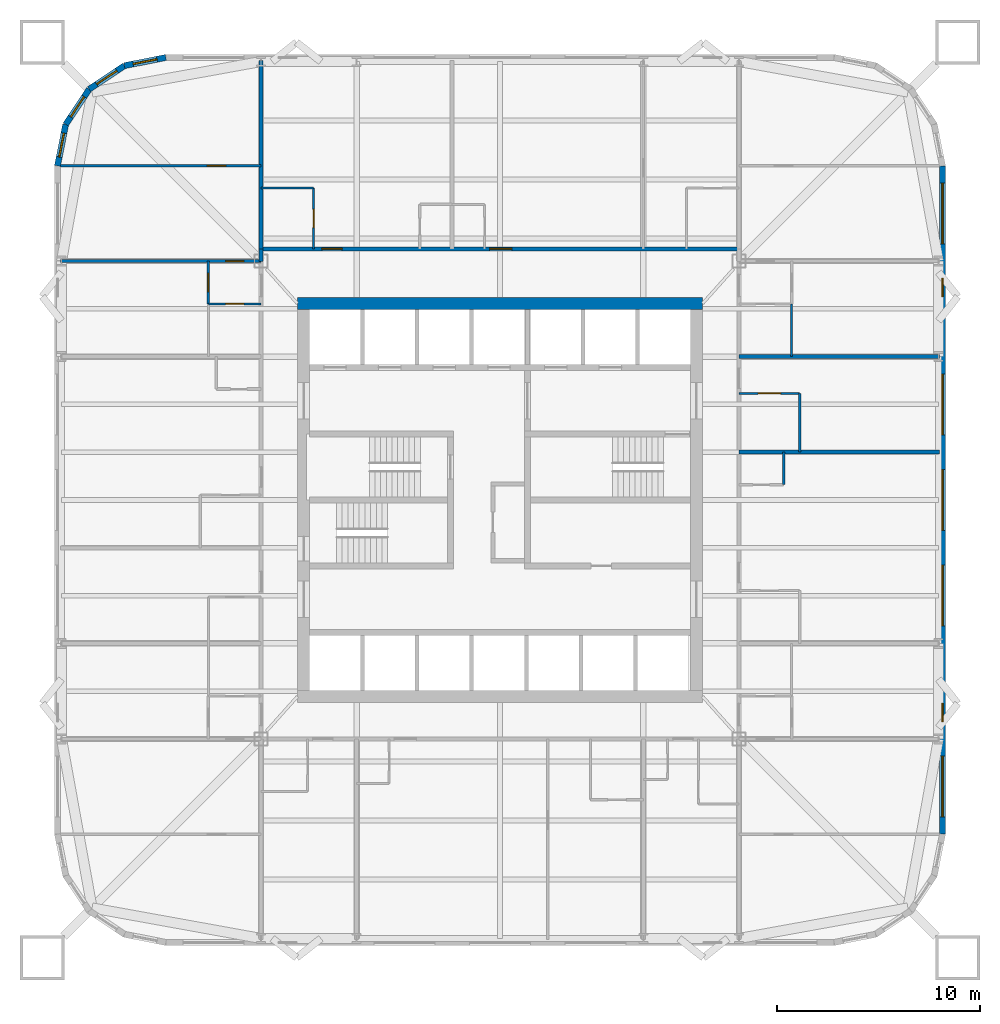
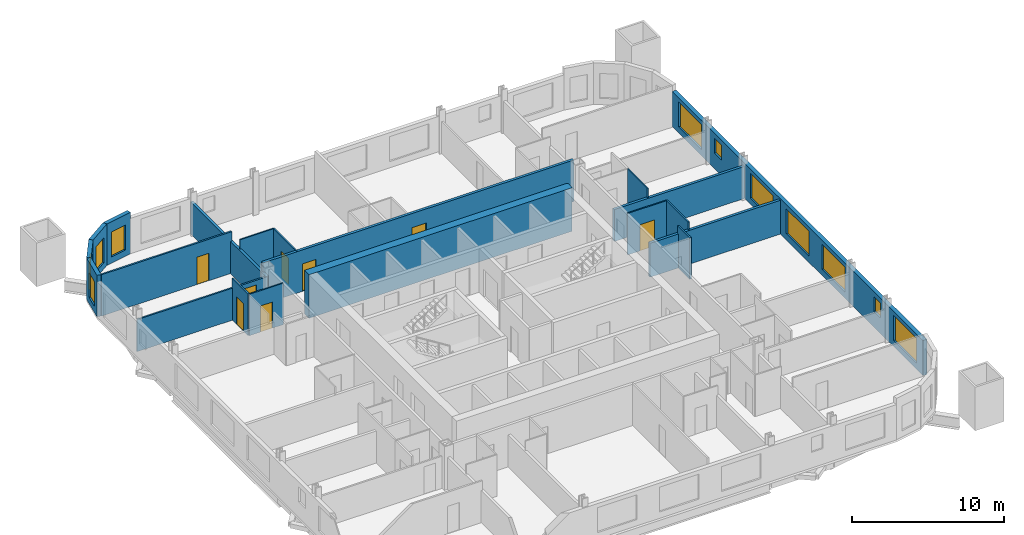
# One storey, part 6 of 9: 21 walls, 11 windows, 8 doors, 19 openings.
"""IFC4 building model written with IfcOpenShell, lengths in metres."""

from ifc_helpers import new_model, si_unit, direction, frame, frame_2d, origin, place, context, subcontext, project, spatial, rectangle, extrude, material, layer, layer_set, type_object, element, fill, save


model = new_model("IFC4")

# Units and contexts
model_context = context("Model", 3, precision=1e-05, world=origin(), true_north=direction((0.0, 1.0)))
body_context = subcontext(model_context, "Body", "Model", "MODEL_VIEW")
ifc_project = project(units=[si_unit("LENGTHUNIT", "METRE"), si_unit("AREAUNIT", "SQUARE_METRE"), si_unit("VOLUMEUNIT", "CUBIC_METRE"), si_unit("PLANEANGLEUNIT", "RADIAN"), si_unit("MASSUNIT", "GRAM", prefix="KILO")], contexts=[model_context])

# Site, building, storey
site_placement = place(None, origin())
site = spatial("IfcSite", under=ifc_project, at=site_placement, CompositionType="ELEMENT")
building_placement = place(site_placement, origin())
building = spatial("IfcBuilding", under=site, at=building_placement, Name="Turquesa Mirador Hotel Tower", CompositionType="ELEMENT")
storey_placement = place(building_placement, frame((0.0, 0.0, 42.5)))
storey = spatial("IfcBuildingStorey", under=building, at=storey_placement, Name="L10", CompositionType="ELEMENT", Elevation=42.5)

# Wall
ifc_material_1 = material(Name="Gypsum board on steel studs", Category="steel")
ifc_layer_1 = layer(ifc_material_1, 0.10009765625)
ifc_layer_set_1 = layer_set([ifc_layer_1], Name="BATHROOM WALL 100")
wall_type_1 = type_object("IfcWallType", Name="BATHROOM WALL 100", PredefinedType="PARTITIONING", material=ifc_layer_set_1)
wall_1_placement = place(storey_placement, frame((43.199951171875, 60.39990234375, 0.0), z_axis=(0.0, 0.0, 1.0), x_axis=(1.0, 0.0, 0.0)))
element("IfcWall", 1, at=wall_1_placement, inside=storey, type_object=wall_type_1, Name="Partition L10 025", PredefinedType="PARTITIONING", context=body_context, shape_type="SweptSolid", body=[
    extrude(rectangle(XDim=2.60009765625, YDim=0.10009765625, at=frame_2d((1.300048828125, 0.0))), origin(), (0.0, 0.0, 1.0), 3.330078125),
])

# Wall, opening, door
wall_2_placement = place(storey_placement, frame((66.800048828125, 50.260009765625, 0.0), z_axis=(0.0, 0.0, 1.0), x_axis=(1.0, 0.0, 0.0)))
wall_2 = element("IfcWall", 2, at=wall_2_placement, inside=storey, type_object=wall_type_1, Name="Partition L10 030", PredefinedType="PARTITIONING", context=body_context, shape_type="SweptSolid", body=[
    extrude(rectangle(XDim=3.0, YDim=0.10009765625, at=frame_2d((1.5, 0.0))), origin(), (0.0, 0.0, 1.0), 3.330078125),
])
opening_1_placement = place(wall_2_placement, frame((0.949951171875, 0.0, 0.0)))
opening_1 = element("IfcOpeningElement", 3, at=opening_1_placement, cuts=wall_2, Name="Opening D16", PredefinedType="OPENING", context=body_context, shape_type="SweptSolid", body=[
    extrude(rectangle(XDim=1.10009765625, YDim=2.10009765625, at=frame_2d((0.550048828125, 1.050048828125))), frame((0.0, 0.06005859375, 0.0), z_axis=(0.0, -1.0, 0.0), x_axis=(1.0, 0.0, 0.0)), (0.0, 0.0, 1.0), 0.1201171875),
])
ifc_material_2 = material(Name="Timber veneered sliding door", Category="wood")
door_type_1 = type_object("IfcDoorType", Name="DOOR 1100X2100 ACCESSIBLE EN-SUITE", OperationType="SLIDING_TO_LEFT", PredefinedType="DOOR", material=ifc_material_2)
door_1_placement = place(opening_1_placement, origin())
door_1 = element("IfcDoor", 4, at=door_1_placement, inside=storey, type_object=door_type_1, Name="Door 1007B", OperationType="SLIDING_TO_LEFT", OverallHeight=2.10009765625, OverallWidth=1.10009765625, PredefinedType="DOOR", context=body_context, shape_type="SweptSolid", body=[
    extrude(rectangle(XDim=1.10009765625, YDim=2.10009765625, at=frame_2d((0.550048828125, 1.050048828125))), frame((0.0, 0.02490234375, 0.0), z_axis=(0.0, -1.0, 0.0), x_axis=(1.0, 0.0, 0.0)), (0.0, 0.0, 1.0), 0.050048828125),
])
fill(opening_1, door_1)

wall_3_placement = place(storey_placement, frame((40.60009765625, 54.679931640625, 0.0), z_axis=(0.0, 0.0, 1.0), x_axis=(1.0, 0.0, 0.0)))
wall_3 = element("IfcWall", 5, at=wall_3_placement, inside=storey, type_object=wall_type_1, Name="Partition L10 034", PredefinedType="PARTITIONING", context=body_context, shape_type="SweptSolid", body=[
    extrude(rectangle(XDim=2.599853515625, YDim=0.10009765625, at=frame_2d((1.2998046875, 0.0))), origin(), (0.0, 0.0, 1.0), 3.330078125),
])
opening_2_placement = place(wall_3_placement, frame((0.85009765625, 0.0, 0.0)))
opening_2 = element("IfcOpeningElement", 6, at=opening_2_placement, cuts=wall_3, Name="Opening D02", PredefinedType="OPENING", context=body_context, shape_type="SweptSolid", body=[
    extrude(rectangle(XDim=0.89990234375, YDim=2.10009765625, at=frame_2d((0.449951171875, 1.050048828125))), frame((0.0, 0.06005859375, 0.0), z_axis=(0.0, -1.0, 0.0), x_axis=(1.0, 0.0, 0.0)), (0.0, 0.0, 1.0), 0.1201171875),
])
ifc_material_3 = material(Name="Timber veneered door", Category="wood")
door_type_2 = type_object("IfcDoorType", Name="DOOR 900X2100 EN-SUITE", OperationType="SINGLE_SWING_RIGHT", PredefinedType="DOOR", material=ifc_material_3)
door_2_placement = place(opening_2_placement, origin())
door_2 = element("IfcDoor", 7, at=door_2_placement, inside=storey, type_object=door_type_2, Name="Door 1011B", OperationType="SINGLE_SWING_RIGHT", OverallHeight=2.10009765625, OverallWidth=0.89990234375, PredefinedType="DOOR", context=body_context, shape_type="SweptSolid", body=[
    extrude(rectangle(XDim=0.89990234375, YDim=2.10009765625, at=frame_2d((0.449951171875, 1.050048828125))), frame((0.0, 0.02490234375, 0.0), z_axis=(0.0, -1.0, 0.0), x_axis=(1.0, 0.0, 0.0)), (0.0, 0.0, 1.0), 0.050048828125),
])
fill(opening_2, door_2)

wall_4_placement = place(storey_placement, frame((45.800048828125, 57.39990234375, 0.0), z_axis=(0.0, 0.0, 1.0), x_axis=(0.0, 1.0, 0.0)))
wall_4 = element("IfcWall", 8, at=wall_4_placement, inside=storey, type_object=wall_type_1, Name="Partition L10 050", PredefinedType="PARTITIONING", context=body_context, shape_type="SweptSolid", body=[
    extrude(rectangle(XDim=3.0, YDim=0.10009765625, at=frame_2d((1.5, 0.0))), origin(), (0.0, 0.0, 1.0), 3.330078125),
])
opening_3_placement = place(wall_4_placement, frame((1.050048828125, 0.0, 0.0)))
opening_3 = element("IfcOpeningElement", 9, at=opening_3_placement, cuts=wall_4, Name="Opening D02", PredefinedType="OPENING", context=body_context, shape_type="SweptSolid", body=[
    extrude(rectangle(XDim=0.89990234375, YDim=2.10009765625, at=frame_2d((0.449951171875, 1.050048828125))), frame((0.0, 0.06005859375, 0.0), z_axis=(0.0, -1.0, 0.0), x_axis=(1.0, 0.0, 0.0)), (0.0, 0.0, 1.0), 0.1201171875),
])
door_3_placement = place(opening_3_placement, origin())
door_3 = element("IfcDoor", 10, at=door_3_placement, inside=storey, type_object=door_type_2, Name="Door 1001B", OperationType="SINGLE_SWING_RIGHT", OverallHeight=2.10009765625, OverallWidth=0.89990234375, PredefinedType="DOOR", context=body_context, shape_type="SweptSolid", body=[
    extrude(rectangle(XDim=0.89990234375, YDim=2.10009765625, at=frame_2d((0.449951171875, 1.050048828125))), frame((0.0, 0.02490234375, 0.0), z_axis=(0.0, -1.0, 0.0), x_axis=(1.0, 0.0, 0.0)), (0.0, 0.0, 1.0), 0.050048828125),
])
fill(opening_3, door_3)

# Walls
wall_5_placement = place(storey_placement, frame((69.39990234375, 52.080078125, 0.0), z_axis=(0.0, 0.0, 1.0), x_axis=(0.0, 1.0, 0.0)))
element("IfcWall", 11, at=wall_5_placement, inside=storey, type_object=wall_type_1, Name="Partition L10 057", PredefinedType="PARTITIONING", context=body_context, shape_type="SweptSolid", body=[
    extrude(rectangle(XDim=2.599853515625, YDim=0.10009765625, at=frame_2d((1.2998046875, 0.0))), origin(), (0.0, 0.0, 1.0), 3.330078125),
])
wall_6_placement = place(storey_placement, frame((69.800048828125, 47.360107421875, 0.0), z_axis=(0.0, 0.0, 1.0), x_axis=(0.0, 1.0, 0.0)))
element("IfcWall", 12, at=wall_6_placement, inside=storey, type_object=wall_type_1, Name="Partition L10 061", PredefinedType="PARTITIONING", context=body_context, shape_type="SweptSolid", body=[
    extrude(rectangle(XDim=2.89990234375, YDim=0.10009765625, at=frame_2d((1.449951171875, 0.0))), origin(), (0.0, 0.0, 1.0), 3.330078125),
])
ifc_material_4 = material(Name="Concrete C50/60", Category="concrete")
ifc_layer_2 = layer(ifc_material_4, 0.60009765625)
ifc_layer_set_2 = layer_set([ifc_layer_2], Name="CORE WALL 600")
wall_type_2 = type_object("IfcWallType", Name="CORE WALL 600", PredefinedType="SHEAR", material=ifc_layer_set_2)
wall_7_placement = place(storey_placement, frame((45.0, 54.699951171875, 0.0), z_axis=(0.0, 0.0, 1.0), x_axis=(1.0, 0.0, 0.0)))
element("IfcWall", 13, at=wall_7_placement, inside=storey, type_object=wall_type_2, Name="Core wall N", PredefinedType="SHEAR", context=body_context, shape_type="SweptSolid", body=[
    extrude(rectangle(XDim=20.0, YDim=0.60009765625, at=frame_2d((10.0, 0.0))), origin(), (0.0, 0.0, 1.0), 3.5),
])

# Wall, openings, doors
ifc_material_5 = material(Name="Fire-rated gypsum board on steel studs", Category="steel")
ifc_layer_3 = layer(ifc_material_5, 0.199951171875)
ifc_layer_set_3 = layer_set([ifc_layer_3], Name="CORRIDOR WALL 200")
wall_type_3 = type_object("IfcWallType", Name="CORRIDOR WALL 200", PredefinedType="PARTITIONING", material=ifc_layer_set_3)
wall_8_placement = place(storey_placement, frame((43.199951171875, 57.39990234375, 0.0), z_axis=(0.0, 0.0, 1.0), x_axis=(1.0, 0.0, 0.0)))
wall_8 = element("IfcWall", 14, at=wall_8_placement, inside=storey, type_object=wall_type_3, Name="Partition L10 022", PredefinedType="PARTITIONING", context=body_context, shape_type="SweptSolid", body=[
    extrude(rectangle(XDim=23.60009765625, YDim=0.199951171875, at=frame_2d((11.800048828125, 0.0))), origin(), (0.0, 0.0, 1.0), 3.330078125),
])
opening_4_placement = place(wall_8_placement, frame((3.0, 0.0, 0.0)))
opening_4 = element("IfcOpeningElement", 15, at=opening_4_placement, cuts=wall_8, Name="Opening D01", PredefinedType="OPENING", context=body_context, shape_type="SweptSolid", body=[
    extrude(rectangle(XDim=1.0, YDim=2.199951171875, at=frame_2d((0.5, 1.10009765625))), frame((0.0, 0.10986328125, 0.0), z_axis=(0.0, -1.0, 0.0), x_axis=(1.0, 0.0, 0.0)), (0.0, 0.0, 1.0), 0.219970703125),
])
opening_5_placement = place(wall_8_placement, frame((11.2900390625, 0.0, 0.0)))
opening_5 = element("IfcOpeningElement", 16, at=opening_5_placement, cuts=wall_8, Name="Opening D15", PredefinedType="OPENING", context=body_context, shape_type="SweptSolid", body=[
    extrude(rectangle(XDim=1.10009765625, YDim=2.199951171875, at=frame_2d((0.550048828125, 1.10009765625))), frame((0.0, 0.10986328125, 0.0), z_axis=(0.0, -1.0, 0.0), x_axis=(1.0, 0.0, 0.0)), (0.0, 0.0, 1.0), 0.219970703125),
])
ifc_material_6 = material(Name="Timber veneered fire door", Category="wood")
door_type_3 = type_object("IfcDoorType", Name="DOOR 1000X2200 GUEST ENTRY", OperationType="SINGLE_SWING_LEFT", PredefinedType="DOOR", material=ifc_material_6)
door_4_placement = place(opening_4_placement, origin())
door_4 = element("IfcDoor", 17, at=door_4_placement, inside=storey, type_object=door_type_3, Name="Door 1001", OperationType="SINGLE_SWING_LEFT", OverallHeight=2.199951171875, OverallWidth=1.0, PredefinedType="DOOR", context=body_context, shape_type="SweptSolid", body=[
    extrude(rectangle(XDim=1.0, YDim=2.199951171875, at=frame_2d((0.5, 1.10009765625))), frame((0.0, 0.02490234375, 0.0), z_axis=(0.0, -1.0, 0.0), x_axis=(1.0, 0.0, 0.0)), (0.0, 0.0, 1.0), 0.050048828125),
])
fill(opening_4, door_4)
ifc_material_7 = material(Name="Timber veneered fire door", Category="wood")
door_type_4 = type_object("IfcDoorType", Name="DOOR 1100X2200 SUITE ENTRY", OperationType="SINGLE_SWING_LEFT", PredefinedType="DOOR", material=ifc_material_7)
door_5_placement = place(opening_5_placement, origin())
door_5 = element("IfcDoor", 18, at=door_5_placement, inside=storey, type_object=door_type_4, Name="Door 1002", OperationType="SINGLE_SWING_LEFT", OverallHeight=2.199951171875, OverallWidth=1.10009765625, PredefinedType="DOOR", context=body_context, shape_type="SweptSolid", body=[
    extrude(rectangle(XDim=1.10009765625, YDim=2.199951171875, at=frame_2d((0.550048828125, 1.10009765625))), frame((0.0, 0.02490234375, 0.0), z_axis=(0.0, -1.0, 0.0), x_axis=(1.0, 0.0, 0.0)), (0.0, 0.0, 1.0), 0.050048828125),
])
fill(opening_5, door_5)

# Wall
wall_9_placement = place(storey_placement, frame((43.199951171875, 56.780029296875, 0.0), z_axis=(0.0, 0.0, 1.0), x_axis=(0.0, 1.0, 0.0)))
element("IfcWall", 19, at=wall_9_placement, inside=storey, type_object=wall_type_3, Name="Partition L10 069", PredefinedType="PARTITIONING", context=body_context, shape_type="SweptSolid", body=[
    extrude(rectangle(XDim=0.619873046875, YDim=0.199951171875, at=frame_2d((0.31005859375, 0.0))), origin(), (0.0, 0.0, 1.0), 2.572998046875),
])

# Wall, openings, windows
ifc_material_8 = material(Name="Limestone cladding on concrete block", Category="masonry")
ifc_layer_4 = layer(ifc_material_8, 0.300048828125)
ifc_layer_set_4 = layer_set([ifc_layer_4], Name="FACADE WALL 300 STONE SCREEN")
wall_type_4 = type_object("IfcWallType", Name="FACADE WALL 300 STONE SCREEN", PredefinedType="SOLIDWALL", material=ifc_layer_set_4)
wall_10_placement = place(storey_placement, frame((76.85009765625, 28.5, 0.0), z_axis=(0.0, 0.0, 1.0), x_axis=(0.0, 1.0, 0.0)))
wall_10 = element("IfcWall", 20, at=wall_10_placement, inside=storey, type_object=wall_type_4, Name="Facade wall L10 04", PredefinedType="SOLIDWALL", context=body_context, shape_type="SweptSolid", body=[
    extrude(rectangle(XDim=33.0, YDim=0.300048828125, at=frame_2d((16.5, 0.0))), origin(), (0.0, 0.0, 1.0), 2.830078125),
])
opening_6_placement = place(wall_10_placement, frame((0.85009765625, 0.0, 0.5)))
opening_6 = element("IfcOpeningElement", 21, at=opening_6_placement, cuts=wall_10, Name="Opening WN1", PredefinedType="OPENING", context=body_context, shape_type="SweptSolid", body=[
    extrude(rectangle(XDim=3.0, YDim=2.0, at=frame_2d((1.5, 1.0))), frame((0.0, 0.159912109375, 0.0), z_axis=(0.0, -1.0, 0.0), x_axis=(1.0, 0.0, 0.0)), (0.0, 0.0, 1.0), 0.320068359375),
])
opening_7_placement = place(wall_10_placement, frame((5.56005859375, 0.0, 1.25)))
opening_7 = element("IfcOpeningElement", 22, at=opening_7_placement, cuts=wall_10, Name="Opening WN36", PredefinedType="OPENING", context=body_context, shape_type="SweptSolid", body=[
    extrude(rectangle(XDim=0.89990234375, YDim=1.199951171875, at=frame_2d((0.449951171875, 0.60009765625))), frame((0.0, 0.159912109375, 0.0), z_axis=(0.0, -1.0, 0.0), x_axis=(1.0, 0.0, 0.0)), (0.0, 0.0, 1.0), 0.320068359375),
])
opening_8_placement = place(wall_10_placement, frame((10.280029296875, 0.0, 0.5)))
opening_8 = element("IfcOpeningElement", 23, at=opening_8_placement, cuts=wall_10, Name="Opening WN1", PredefinedType="OPENING", context=body_context, shape_type="SweptSolid", body=[
    extrude(rectangle(XDim=3.0, YDim=2.0, at=frame_2d((1.5, 1.0))), frame((0.0, 0.159912109375, 0.0), z_axis=(0.0, -1.0, 0.0), x_axis=(1.0, 0.0, 0.0)), (0.0, 0.0, 1.0), 0.320068359375),
])
opening_9_placement = place(wall_10_placement, frame((15.0, 0.0, 0.5)))
opening_9 = element("IfcOpeningElement", 24, at=opening_9_placement, cuts=wall_10, Name="Opening WN1", PredefinedType="OPENING", context=body_context, shape_type="SweptSolid", body=[
    extrude(rectangle(XDim=3.0, YDim=2.0, at=frame_2d((1.5, 1.0))), frame((0.0, 0.159912109375, 0.0), z_axis=(0.0, -1.0, 0.0), x_axis=(1.0, 0.0, 0.0)), (0.0, 0.0, 1.0), 0.320068359375),
])
opening_10_placement = place(wall_10_placement, frame((19.719970703125, 0.0, 0.5)))
opening_10 = element("IfcOpeningElement", 25, at=opening_10_placement, cuts=wall_10, Name="Opening WN1", PredefinedType="OPENING", context=body_context, shape_type="SweptSolid", body=[
    extrude(rectangle(XDim=3.0, YDim=2.0, at=frame_2d((1.5, 1.0))), frame((0.0, 0.159912109375, 0.0), z_axis=(0.0, -1.0, 0.0), x_axis=(1.0, 0.0, 0.0)), (0.0, 0.0, 1.0), 0.320068359375),
])
opening_11_placement = place(wall_10_placement, frame((26.5400390625, 0.0, 1.25)))
opening_11 = element("IfcOpeningElement", 26, at=opening_11_placement, cuts=wall_10, Name="Opening WN36", PredefinedType="OPENING", context=body_context, shape_type="SweptSolid", body=[
    extrude(rectangle(XDim=0.89990234375, YDim=1.199951171875, at=frame_2d((0.449951171875, 0.60009765625))), frame((0.0, 0.159912109375, 0.0), z_axis=(0.0, -1.0, 0.0), x_axis=(1.0, 0.0, 0.0)), (0.0, 0.0, 1.0), 0.320068359375),
])
opening_12_placement = place(wall_10_placement, frame((29.14990234375, 0.0, 0.5)))
opening_12 = element("IfcOpeningElement", 27, at=opening_12_placement, cuts=wall_10, Name="Opening WN1", PredefinedType="OPENING", context=body_context, shape_type="SweptSolid", body=[
    extrude(rectangle(XDim=3.0, YDim=2.0, at=frame_2d((1.5, 1.0))), frame((0.0, 0.159912109375, 0.0), z_axis=(0.0, -1.0, 0.0), x_axis=(1.0, 0.0, 0.0)), (0.0, 0.0, 1.0), 0.320068359375),
])
ifc_material_9 = material(Name="Ceramic-fritted laminated glass", Category="glass")
window_type_1 = type_object("IfcWindowType", Name="FRITTED WINDOW 3000X2000", PartitioningType="DOUBLE_PANEL_HORIZONTAL", PredefinedType="WINDOW", material=ifc_material_9)
window_1_placement = place(opening_6_placement, origin())
window_1 = element("IfcWindow", 28, at=window_1_placement, inside=storey, type_object=window_type_1, Name="Window L10", OverallHeight=2.0, OverallWidth=3.0, PartitioningType="SINGLE_PANEL", PredefinedType="WINDOW", context=body_context, shape_type="SweptSolid", body=[
    extrude(rectangle(XDim=3.0, YDim=2.0, at=frame_2d((1.5, 1.0))), frame((0.0, 0.030029296875, 0.0), z_axis=(0.0, -1.0, 0.0), x_axis=(1.0, 0.0, 0.0)), (0.0, 0.0, 1.0), 0.06005859375),
])
fill(opening_6, window_1)
window_2_placement = place(opening_8_placement, origin())
window_2 = element("IfcWindow", 29, at=window_2_placement, inside=storey, type_object=window_type_1, Name="Window L10", OverallHeight=2.0, OverallWidth=3.0, PartitioningType="SINGLE_PANEL", PredefinedType="WINDOW", context=body_context, shape_type="SweptSolid", body=[
    extrude(rectangle(XDim=3.0, YDim=2.0, at=frame_2d((1.5, 1.0))), frame((0.0, 0.030029296875, 0.0), z_axis=(0.0, -1.0, 0.0), x_axis=(1.0, 0.0, 0.0)), (0.0, 0.0, 1.0), 0.06005859375),
])
fill(opening_8, window_2)
window_3_placement = place(opening_9_placement, origin())
window_3 = element("IfcWindow", 30, at=window_3_placement, inside=storey, type_object=window_type_1, Name="Window L10", OverallHeight=2.0, OverallWidth=3.0, PartitioningType="SINGLE_PANEL", PredefinedType="WINDOW", context=body_context, shape_type="SweptSolid", body=[
    extrude(rectangle(XDim=3.0, YDim=2.0, at=frame_2d((1.5, 1.0))), frame((0.0, 0.030029296875, 0.0), z_axis=(0.0, -1.0, 0.0), x_axis=(1.0, 0.0, 0.0)), (0.0, 0.0, 1.0), 0.06005859375),
])
fill(opening_9, window_3)
window_4_placement = place(opening_10_placement, origin())
window_4 = element("IfcWindow", 31, at=window_4_placement, inside=storey, type_object=window_type_1, Name="Window L10", OverallHeight=2.0, OverallWidth=3.0, PartitioningType="SINGLE_PANEL", PredefinedType="WINDOW", context=body_context, shape_type="SweptSolid", body=[
    extrude(rectangle(XDim=3.0, YDim=2.0, at=frame_2d((1.5, 1.0))), frame((0.0, 0.030029296875, 0.0), z_axis=(0.0, -1.0, 0.0), x_axis=(1.0, 0.0, 0.0)), (0.0, 0.0, 1.0), 0.06005859375),
])
fill(opening_10, window_4)
window_5_placement = place(opening_12_placement, origin())
window_5 = element("IfcWindow", 32, at=window_5_placement, inside=storey, type_object=window_type_1, Name="Window L10", OverallHeight=2.0, OverallWidth=3.0, PartitioningType="SINGLE_PANEL", PredefinedType="WINDOW", context=body_context, shape_type="SweptSolid", body=[
    extrude(rectangle(XDim=3.0, YDim=2.0, at=frame_2d((1.5, 1.0))), frame((0.0, 0.030029296875, 0.0), z_axis=(0.0, -1.0, 0.0), x_axis=(1.0, 0.0, 0.0)), (0.0, 0.0, 1.0), 0.06005859375),
])
fill(opening_12, window_5)
ifc_material_10 = material(Name="Ceramic-fritted laminated glass", Category="glass")
window_type_2 = type_object("IfcWindowType", Name="FRITTED WINDOW 900X1200", PartitioningType="DOUBLE_PANEL_HORIZONTAL", PredefinedType="WINDOW", material=ifc_material_10)
window_6_placement = place(opening_7_placement, origin())
window_6 = element("IfcWindow", 33, at=window_6_placement, inside=storey, type_object=window_type_2, Name="Window L10", OverallHeight=1.199951171875, OverallWidth=0.89990234375, PartitioningType="SINGLE_PANEL", PredefinedType="WINDOW", context=body_context, shape_type="SweptSolid", body=[
    extrude(rectangle(XDim=0.89990234375, YDim=1.199951171875, at=frame_2d((0.449951171875, 0.60009765625))), frame((0.0, 0.030029296875, 0.0), z_axis=(0.0, -1.0, 0.0), x_axis=(1.0, 0.0, 0.0)), (0.0, 0.0, 1.0), 0.06005859375),
])
fill(opening_7, window_6)
window_7_placement = place(opening_11_placement, origin())
window_7 = element("IfcWindow", 34, at=window_7_placement, inside=storey, type_object=window_type_2, Name="Window L10", OverallHeight=1.199951171875, OverallWidth=0.89990234375, PartitioningType="SINGLE_PANEL", PredefinedType="WINDOW", context=body_context, shape_type="SweptSolid", body=[
    extrude(rectangle(XDim=0.89990234375, YDim=1.199951171875, at=frame_2d((0.449951171875, 0.60009765625))), frame((0.0, 0.030029296875, 0.0), z_axis=(0.0, -1.0, 0.0), x_axis=(1.0, 0.0, 0.0)), (0.0, 0.0, 1.0), 0.06005859375),
])
fill(opening_11, window_7)

# Wall, opening, window
wall_11_placement = place(storey_placement, frame((38.5, 66.85009765625, 0.0), z_axis=(0.0, 0.0, 1.0), x_axis=(-0.980787050784, -0.195081421501, 0.0)))
wall_11 = element("IfcWall", 35, at=wall_11_placement, inside=storey, type_object=wall_type_4, Name="Facade wall L10 10", PredefinedType="SOLIDWALL", context=body_context, shape_type="SweptSolid", body=[
    extrude(rectangle(XDim=2.08740234375, YDim=0.300048828125, at=frame_2d((1.043701171875, 0.0))), origin(), (0.0, 0.0, 1.0), 3.330078125),
])
opening_13_placement = place(wall_11_placement, frame((0.443603515625, 0.0, 0.5)))
opening_13 = element("IfcOpeningElement", 36, at=opening_13_placement, cuts=wall_11, Name="Opening WN4", PredefinedType="OPENING", context=body_context, shape_type="SweptSolid", body=[
    extrude(rectangle(XDim=1.199951171875, YDim=2.0, at=frame_2d((0.60009765625, 1.0))), frame((0.0, 0.159912109375, 0.0), z_axis=(0.0, -1.0, 0.0), x_axis=(1.0, 0.0, 0.0)), (0.0, 0.0, 1.0), 0.320068359375),
])
ifc_material_11 = material(Name="Ceramic-fritted laminated glass", Category="glass")
window_type_3 = type_object("IfcWindowType", Name="FRITTED CORNER WINDOW 1200X2000", PartitioningType="DOUBLE_PANEL_HORIZONTAL", PredefinedType="WINDOW", material=ifc_material_11)
window_8_placement = place(opening_13_placement, origin())
window_8 = element("IfcWindow", 37, at=window_8_placement, inside=storey, type_object=window_type_3, Name="Window L10", OverallHeight=2.0, OverallWidth=1.199951171875, PartitioningType="SINGLE_PANEL", PredefinedType="WINDOW", context=body_context, shape_type="SweptSolid", body=[
    extrude(rectangle(XDim=1.199951171875, YDim=2.0, at=frame_2d((0.60009765625, 1.0))), frame((0.0, 0.030029296875, 0.0), z_axis=(0.0, -1.0, 0.0), x_axis=(1.0, 0.0, 0.0)), (0.0, 0.0, 1.0), 0.06005859375),
])
fill(opening_13, window_8)

wall_12_placement = place(storey_placement, frame((36.45263671875, 66.44287109375, 0.0), z_axis=(0.0, 0.0, 1.0), x_axis=(-0.831420010345, -0.555644460423, 0.0)))
wall_12 = element("IfcWall", 38, at=wall_12_placement, inside=storey, type_object=wall_type_4, Name="Facade wall L10 11", PredefinedType="SOLIDWALL", context=body_context, shape_type="SweptSolid", body=[
    extrude(rectangle(XDim=2.08740234375, YDim=0.300048828125, at=frame_2d((1.043701171875, 0.0))), origin(), (0.0, 0.0, 1.0), 3.330078125),
])
opening_14_placement = place(wall_12_placement, frame((0.443603515625, 0.0, 0.5)))
opening_14 = element("IfcOpeningElement", 39, at=opening_14_placement, cuts=wall_12, Name="Opening WN4", PredefinedType="OPENING", context=body_context, shape_type="SweptSolid", body=[
    extrude(rectangle(XDim=1.199951171875, YDim=2.0, at=frame_2d((0.60009765625, 1.0))), frame((0.0, 0.159912109375, 0.0), z_axis=(0.0, -1.0, 0.0), x_axis=(1.0, 0.0, 0.0)), (0.0, 0.0, 1.0), 0.320068359375),
])
window_9_placement = place(opening_14_placement, origin())
window_9 = element("IfcWindow", 40, at=window_9_placement, inside=storey, type_object=window_type_3, Name="Window L10", OverallHeight=2.0, OverallWidth=1.199951171875, PartitioningType="SINGLE_PANEL", PredefinedType="WINDOW", context=body_context, shape_type="SweptSolid", body=[
    extrude(rectangle(XDim=1.199951171875, YDim=2.0, at=frame_2d((0.60009765625, 1.0))), frame((0.0, 0.030029296875, 0.0), z_axis=(0.0, -1.0, 0.0), x_axis=(1.0, 0.0, 0.0)), (0.0, 0.0, 1.0), 0.06005859375),
])
fill(opening_14, window_9)

wall_13_placement = place(storey_placement, frame((34.717041015625, 65.282958984375, 0.0), z_axis=(0.0, 0.0, 1.0), x_axis=(-0.555644460423, -0.831420010345, 0.0)))
wall_13 = element("IfcWall", 41, at=wall_13_placement, inside=storey, type_object=wall_type_4, Name="Facade wall L10 12", PredefinedType="SOLIDWALL", context=body_context, shape_type="SweptSolid", body=[
    extrude(rectangle(XDim=2.08740234375, YDim=0.300048828125, at=frame_2d((1.043701171875, 0.0))), origin(), (0.0, 0.0, 1.0), 3.330078125),
])
opening_15_placement = place(wall_13_placement, frame((0.443603515625, 0.0, 0.5)))
opening_15 = element("IfcOpeningElement", 42, at=opening_15_placement, cuts=wall_13, Name="Opening WN4", PredefinedType="OPENING", context=body_context, shape_type="SweptSolid", body=[
    extrude(rectangle(XDim=1.199951171875, YDim=2.0, at=frame_2d((0.60009765625, 1.0))), frame((0.0, 0.159912109375, 0.0), z_axis=(0.0, -1.0, 0.0), x_axis=(1.0, 0.0, 0.0)), (0.0, 0.0, 1.0), 0.320068359375),
])
window_10_placement = place(opening_15_placement, origin())
window_10 = element("IfcWindow", 43, at=window_10_placement, inside=storey, type_object=window_type_3, Name="Window L10", OverallHeight=2.0, OverallWidth=1.199951171875, PartitioningType="SINGLE_PANEL", PredefinedType="WINDOW", context=body_context, shape_type="SweptSolid", body=[
    extrude(rectangle(XDim=1.199951171875, YDim=2.0, at=frame_2d((0.60009765625, 1.0))), frame((0.0, 0.030029296875, 0.0), z_axis=(0.0, -1.0, 0.0), x_axis=(1.0, 0.0, 0.0)), (0.0, 0.0, 1.0), 0.06005859375),
])
fill(opening_15, window_10)

wall_14_placement = place(storey_placement, frame((33.55712890625, 63.54736328125, 0.0), z_axis=(0.0, 0.0, 1.0), x_axis=(-0.195081421501, -0.980787050784, 0.0)))
wall_14 = element("IfcWall", 44, at=wall_14_placement, inside=storey, type_object=wall_type_4, Name="Facade wall L10 13", PredefinedType="SOLIDWALL", context=body_context, shape_type="SweptSolid", body=[
    extrude(rectangle(XDim=2.08740234375, YDim=0.300048828125, at=frame_2d((1.043701171875, 0.0))), origin(), (0.0, 0.0, 1.0), 3.330078125),
])
opening_16_placement = place(wall_14_placement, frame((0.443603515625, 0.0, 0.5)))
opening_16 = element("IfcOpeningElement", 45, at=opening_16_placement, cuts=wall_14, Name="Opening WN4", PredefinedType="OPENING", context=body_context, shape_type="SweptSolid", body=[
    extrude(rectangle(XDim=1.199951171875, YDim=2.0, at=frame_2d((0.60009765625, 1.0))), frame((0.0, 0.159912109375, 0.0), z_axis=(0.0, -1.0, 0.0), x_axis=(1.0, 0.0, 0.0)), (0.0, 0.0, 1.0), 0.320068359375),
])
window_11_placement = place(opening_16_placement, origin())
window_11 = element("IfcWindow", 46, at=window_11_placement, inside=storey, type_object=window_type_3, Name="Window L10", OverallHeight=2.0, OverallWidth=1.199951171875, PartitioningType="SINGLE_PANEL", PredefinedType="WINDOW", context=body_context, shape_type="SweptSolid", body=[
    extrude(rectangle(XDim=1.199951171875, YDim=2.0, at=frame_2d((0.60009765625, 1.0))), frame((0.0, 0.030029296875, 0.0), z_axis=(0.0, -1.0, 0.0), x_axis=(1.0, 0.0, 0.0)), (0.0, 0.0, 1.0), 0.06005859375),
])
fill(opening_16, window_11)

# Walls
ifc_material_12 = material(Name="Fire-rated gypsum board on steel studs", Category="steel")
ifc_layer_5 = layer(ifc_material_12, 0.199951171875)
ifc_layer_set_5 = layer_set([ifc_layer_5], Name="PARTY WALL 200")
wall_type_5 = type_object("IfcWallType", Name="PARTY WALL 200", PredefinedType="PARTITIONING", material=ifc_layer_set_5)
wall_15_placement = place(storey_placement, frame((66.800048828125, 47.360107421875, 0.0), z_axis=(0.0, 0.0, 1.0), x_axis=(1.0, 0.0, 0.0)))
element("IfcWall", 47, at=wall_15_placement, inside=storey, type_object=wall_type_5, Name="Partition L10 029", PredefinedType="PARTITIONING", context=body_context, shape_type="SweptSolid", body=[
    extrude(rectangle(XDim=9.89990234375, YDim=0.199951171875, at=frame_2d((4.949951171875, 0.0))), origin(), (0.0, 0.0, 1.0), 2.722900390625),
])
wall_16_placement = place(storey_placement, frame((66.800048828125, 52.080078125, 0.0), z_axis=(0.0, 0.0, 1.0), x_axis=(1.0, 0.0, 0.0)))
element("IfcWall", 48, at=wall_16_placement, inside=storey, type_object=wall_type_5, Name="Partition L10 033", PredefinedType="PARTITIONING", context=body_context, shape_type="SweptSolid", body=[
    extrude(rectangle(XDim=9.89990234375, YDim=0.199951171875, at=frame_2d((4.949951171875, 0.0))), origin(), (0.0, 0.0, 1.0), 2.572998046875),
])
wall_17_placement = place(storey_placement, frame((43.199951171875, 57.39990234375, 0.0), z_axis=(0.0, 0.0, 1.0), x_axis=(0.0, 1.0, 0.0)))
element("IfcWall", 49, at=wall_17_placement, inside=storey, type_object=wall_type_5, Name="Partition L10 039", PredefinedType="PARTITIONING", context=body_context, shape_type="SweptSolid", body=[
    extrude(rectangle(XDim=9.300048828125, YDim=0.199951171875, at=frame_2d((4.64990234375, 0.0))), origin(), (0.0, 0.0, 1.0), 2.572998046875),
])

# Wall, opening, door
ifc_material_13 = material(Name="Acoustic gypsum board on steel studs", Category="steel")
ifc_layer_6 = layer(ifc_material_13, 0.125)
ifc_layer_set_6 = layer_set([ifc_layer_6], Name="SUITE PARTITION 125")
wall_type_6 = type_object("IfcWallType", Name="SUITE PARTITION 125", PredefinedType="PARTITIONING", material=ifc_layer_set_6)
wall_18_placement = place(storey_placement, frame((33.300048828125, 56.800048828125, 0.0), z_axis=(0.0, 0.0, 1.0), x_axis=(1.0, 0.0, 0.0)))
wall_18 = element("IfcWall", 50, at=wall_18_placement, inside=storey, type_object=wall_type_6, Name="Partition L10 020", PredefinedType="PARTITIONING", context=body_context, shape_type="SweptSolid", body=[
    extrude(rectangle(XDim=9.89990234375, YDim=0.125, at=frame_2d((4.949951171875, 0.0))), origin(), (0.0, 0.0, 1.0), 2.572998046875),
])
opening_17_placement = place(wall_18_placement, frame((8.14990234375, 0.0, 0.0)))
opening_17 = element("IfcOpeningElement", 51, at=opening_17_placement, cuts=wall_18, Name="Opening D17", PredefinedType="OPENING", context=body_context, shape_type="SweptSolid", body=[
    extrude(rectangle(XDim=0.89990234375, YDim=2.199951171875, at=frame_2d((0.449951171875, 1.10009765625))), frame((0.0, 0.072509765625, 0.0), z_axis=(0.0, -1.0, 0.0), x_axis=(1.0, 0.0, 0.0)), (0.0, 0.0, 1.0), 0.14501953125),
])
ifc_material_14 = material(Name="Timber veneered door", Category="wood")
door_type_5 = type_object("IfcDoorType", Name="DOOR 900X2200 SUITE INTERNAL", OperationType="SINGLE_SWING_LEFT", PredefinedType="DOOR", material=ifc_material_14)
door_6_placement = place(opening_17_placement, origin())
door_6 = element("IfcDoor", 52, at=door_6_placement, inside=storey, type_object=door_type_5, Name="Door 1011", OperationType="SINGLE_SWING_LEFT", OverallHeight=2.199951171875, OverallWidth=0.89990234375, PredefinedType="DOOR", context=body_context, shape_type="SweptSolid", body=[
    extrude(rectangle(XDim=0.89990234375, YDim=2.199951171875, at=frame_2d((0.449951171875, 1.10009765625))), frame((0.0, 0.02490234375, 0.0), z_axis=(0.0, -1.0, 0.0), x_axis=(1.0, 0.0, 0.0)), (0.0, 0.0, 1.0), 0.050048828125),
])
fill(opening_17, door_6)

wall_19_placement = place(storey_placement, frame((33.305908203125, 61.5, 0.0), z_axis=(0.0, 0.0, 1.0), x_axis=(1.0, 0.0, 0.0)))
wall_19 = element("IfcWall", 53, at=wall_19_placement, inside=storey, type_object=wall_type_6, Name="Partition L10 027", PredefinedType="PARTITIONING", context=body_context, shape_type="SweptSolid", body=[
    extrude(rectangle(XDim=9.89404296875, YDim=0.125, at=frame_2d((4.947021484375, 0.0))), origin(), (0.0, 0.0, 1.0), 3.330078125),
])
opening_18_placement = place(wall_19_placement, frame((7.244140625, 0.0, 0.0)))
opening_18 = element("IfcOpeningElement", 54, at=opening_18_placement, cuts=wall_19, Name="Opening D17", PredefinedType="OPENING", context=body_context, shape_type="SweptSolid", body=[
    extrude(rectangle(XDim=0.89990234375, YDim=2.199951171875, at=frame_2d((0.449951171875, 1.10009765625))), frame((0.0, 0.072509765625, 0.0), z_axis=(0.0, -1.0, 0.0), x_axis=(1.0, 0.0, 0.0)), (0.0, 0.0, 1.0), 0.14501953125),
])
door_7_placement = place(opening_18_placement, origin())
door_7 = element("IfcDoor", 55, at=door_7_placement, inside=storey, type_object=door_type_5, Name="Door 1011M", OperationType="SINGLE_SWING_LEFT", OverallHeight=2.199951171875, OverallWidth=0.89990234375, PredefinedType="DOOR", context=body_context, shape_type="SweptSolid", body=[
    extrude(rectangle(XDim=0.89990234375, YDim=2.199951171875, at=frame_2d((0.449951171875, 1.10009765625))), frame((0.0, 0.02490234375, 0.0), z_axis=(0.0, -1.0, 0.0), x_axis=(1.0, 0.0, 0.0)), (0.0, 0.0, 1.0), 0.050048828125),
])
fill(opening_18, door_7)

wall_20_placement = place(storey_placement, frame((40.60009765625, 54.679931640625, 0.0), z_axis=(0.0, 0.0, 1.0), x_axis=(0.0, 1.0, 0.0)))
wall_20 = element("IfcWall", 56, at=wall_20_placement, inside=storey, type_object=wall_type_6, Name="Partition L10 044", PredefinedType="PARTITIONING", context=body_context, shape_type="SweptSolid", body=[
    extrude(rectangle(XDim=2.1201171875, YDim=0.125, at=frame_2d((1.06005859375, 0.0))), origin(), (0.0, 0.0, 1.0), 3.330078125),
])
opening_19_placement = place(wall_20_placement, frame((0.610107421875, 0.0, 0.0)))
opening_19 = element("IfcOpeningElement", 57, at=opening_19_placement, cuts=wall_20, Name="Opening D17", PredefinedType="OPENING", context=body_context, shape_type="SweptSolid", body=[
    extrude(rectangle(XDim=0.89990234375, YDim=2.199951171875, at=frame_2d((0.449951171875, 1.10009765625))), frame((0.0, 0.072509765625, 0.0), z_axis=(0.0, -1.0, 0.0), x_axis=(1.0, 0.0, 0.0)), (0.0, 0.0, 1.0), 0.14501953125),
])
door_8_placement = place(opening_19_placement, origin())
door_8 = element("IfcDoor", 58, at=door_8_placement, inside=storey, type_object=door_type_5, Name="Door 1011R", OperationType="SINGLE_SWING_LEFT", OverallHeight=2.199951171875, OverallWidth=0.89990234375, PredefinedType="DOOR", context=body_context, shape_type="SweptSolid", body=[
    extrude(rectangle(XDim=0.89990234375, YDim=2.199951171875, at=frame_2d((0.449951171875, 1.10009765625))), frame((0.0, 0.02490234375, 0.0), z_axis=(0.0, -1.0, 0.0), x_axis=(1.0, 0.0, 0.0)), (0.0, 0.0, 1.0), 0.050048828125),
])
fill(opening_19, door_8)

# Wall
wall_21_placement = place(storey_placement, frame((69.0, 45.760009765625, 0.0), z_axis=(0.0, 0.0, 1.0), x_axis=(0.0, 1.0, 0.0)))
element("IfcWall", 59, at=wall_21_placement, inside=storey, type_object=wall_type_6, Name="Partition L10 055", PredefinedType="PARTITIONING", context=body_context, shape_type="SweptSolid", body=[
    extrude(rectangle(XDim=1.60009765625, YDim=0.125, at=frame_2d((0.800048828125, 0.0))), origin(), (0.0, 0.0, 1.0), 3.330078125),
])

save(model, "model.ifc")
